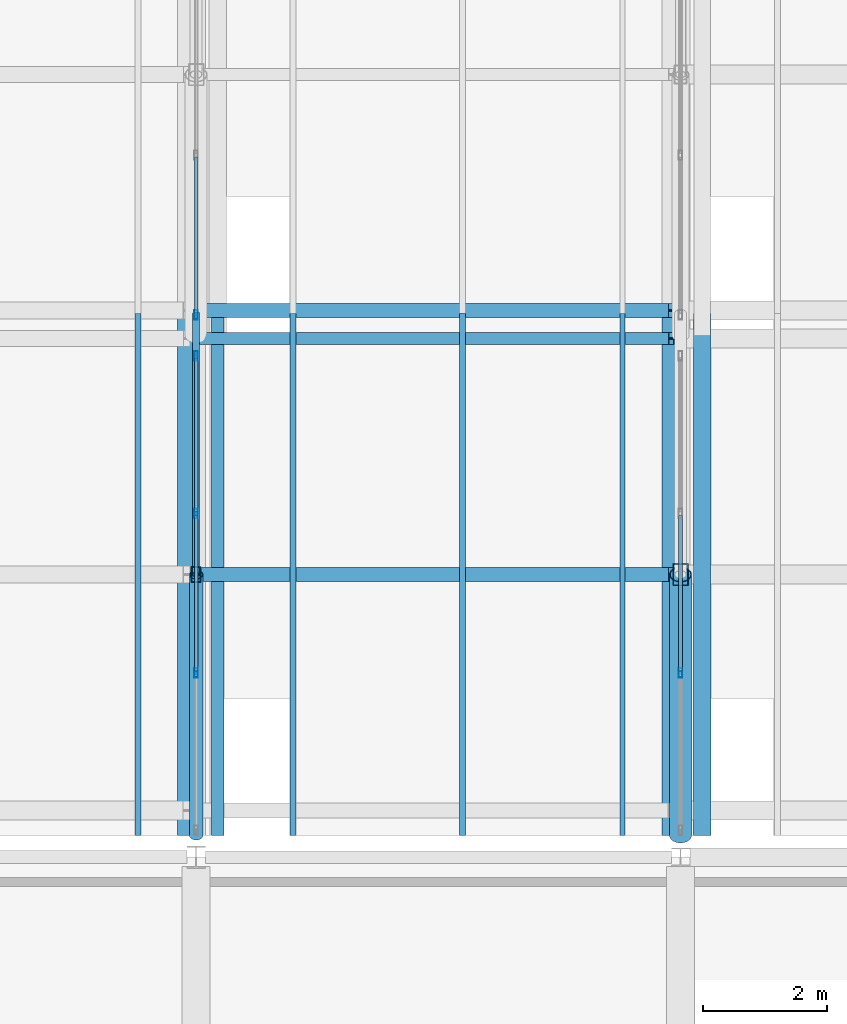
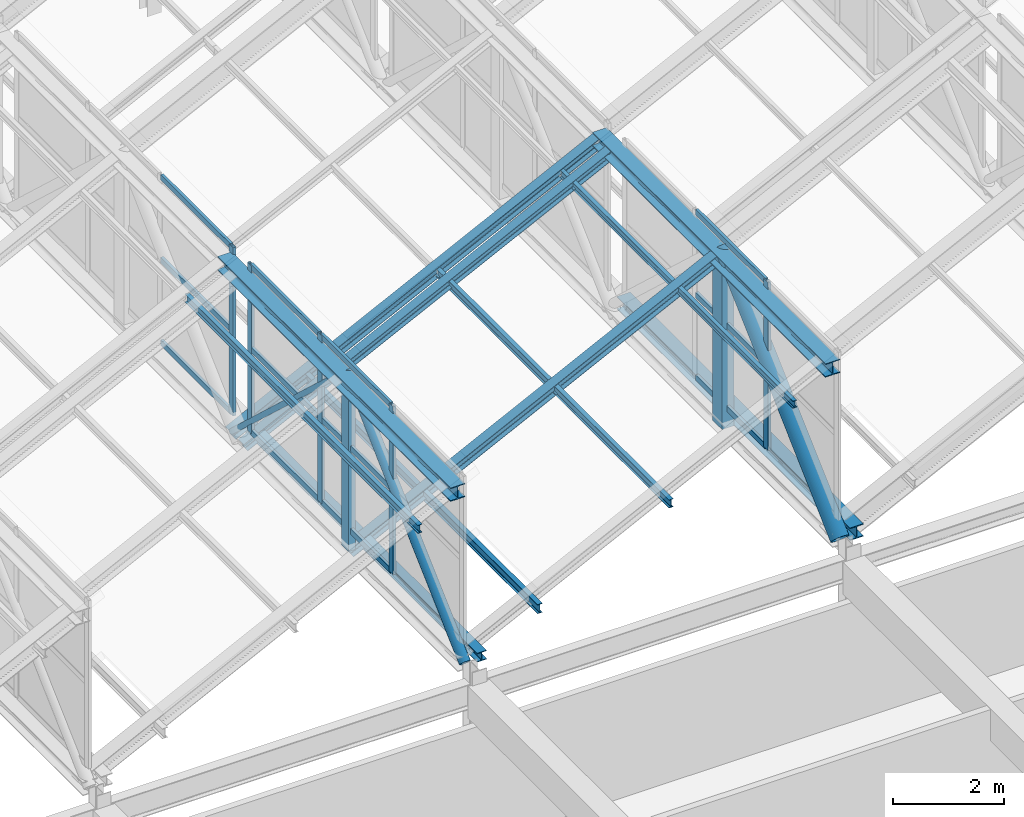
# One storey, part 26 of 101: 33 members, 3 elements without a shape of their own.
"""IFC4 building model written with IfcOpenShell, lengths in metres."""

from ifc_helpers import new_model, si_unit, direction, frame, origin, origin_2d, place, context, subcontext, project, spatial, hollow_rectangle, hollow_circle, i_section, extrude, material, layer, layer_set, material_profile, profile_set, type_object, element, aggregate, save


model = new_model("IFC4")

# Units and contexts
model_context = context("Model", 3, precision=1e-05, world=origin(), true_north=direction((0.0, 1.0)))
body_context = subcontext(model_context, "Body", "Model", "MODEL_VIEW")
ifc_project = project(units=[si_unit("LENGTHUNIT", "METRE"), si_unit("AREAUNIT", "SQUARE_METRE"), si_unit("VOLUMEUNIT", "CUBIC_METRE"), si_unit("PLANEANGLEUNIT", "RADIAN"), si_unit("MASSUNIT", "GRAM", prefix="KILO")], contexts=[model_context])

# Site, building, storey
site_placement = place(None, origin())
site = spatial("IfcSite", under=ifc_project, at=site_placement, CompositionType="ELEMENT")
building_placement = place(site_placement, origin())
building = spatial("IfcBuilding", under=site, at=building_placement, Name="Zizhar Promenade General Hospital", CompositionType="ELEMENT")
storey_placement = place(building_placement, frame((0.0, 0.0, 14.39990234375)))
storey = spatial("IfcBuildingStorey", under=building, at=storey_placement, Name="L03", CompositionType="ELEMENT", Elevation=14.39990234375)

# Curtain wall, members
ifc_material_1 = material(Name="Anodised aluminium 6063-T6 and low-E glass", Category="aluminium")
ifc_layer_1 = layer(ifc_material_1, 0.159912109375)
ifc_layer_set_1 = layer_set([ifc_layer_1], Name="Anodised aluminium 6063-T6 and low-E glass")
curtain_wall_type_1 = type_object("IfcCurtainWallType", Name="CW-SAW-NL1", PredefinedType="NOTDEFINED", material=ifc_layer_set_1)
curtain_wall_1_placement = place(storey_placement, origin())
curtain_wall_1 = element("IfcCurtainWall", 1, at=curtain_wall_1_placement, inside=storey, type_object=curtain_wall_type_1, Name="Sawtooth Clerestory Light B3-S1", PredefinedType="NOTDEFINED")
ifc_material_2 = material(Name="Anodised aluminium 6063-T6", Category="aluminium")
ifc_material_profile_1 = material_profile(ifc_material_2, hollow_rectangle(XDim=0.06005859375, YDim=0.14990234375, WallThickness=0.00390625, at=origin_2d()))
ifc_profile_set_1 = profile_set([ifc_material_profile_1], Name="Anodised aluminium 6063-T6")
member_type_1 = type_object("IfcMemberType", Name="CWM-ALU-150x60", PredefinedType="MULLION", material=ifc_profile_set_1)
member_1_placement = place(storey_placement, frame((93.60009765625, 28.166748046875, 3.85009765625), z_axis=(0.0, 0.0, 1.0), x_axis=(-1.0, 0.0, 0.0)))
member_1 = element("IfcMember", 2, at=member_1_placement, type_object=member_type_1, Name="CW-03 mullion 2", PredefinedType="MULLION", context=body_context, shape_type="SweptSolid", body=[
    extrude(hollow_rectangle(XDim=0.06005859375, YDim=0.14990234375, WallThickness=0.00390625, at=origin_2d()), origin(), (0.0, 0.0, 1.0), 3.699951171875),
])
member_2_placement = place(storey_placement, frame((93.60009765625, 30.7333984375, 3.85009765625), z_axis=(0.0, 0.0, 1.0), x_axis=(-1.0, 0.0, 0.0)))
member_2 = element("IfcMember", 3, at=member_2_placement, type_object=member_type_1, Name="CW-03 mullion 3", PredefinedType="MULLION", context=body_context, shape_type="SweptSolid", body=[
    extrude(hollow_rectangle(XDim=0.06005859375, YDim=0.14990234375, WallThickness=0.00390625, at=origin_2d()), origin(), (0.0, 0.0, 1.0), 3.699951171875),
])
member_3_placement = place(storey_placement, frame((93.60009765625, 33.27001953125, 3.85009765625), z_axis=(0.0, 0.0, 1.0), x_axis=(-1.0, 0.0, 0.0)))
member_3 = element("IfcMember", 4, at=member_3_placement, type_object=member_type_1, Name="CW-03 mullion 4", PredefinedType="MULLION", context=body_context, shape_type="SweptSolid", body=[
    extrude(hollow_rectangle(XDim=0.06005859375, YDim=0.14990234375, WallThickness=0.00390625, at=origin_2d()), origin(), (0.0, 0.0, 1.0), 3.699951171875),
])

# Curtain wall, member
ifc_material_3 = material(Name="Anodised aluminium 6063-T6 and low-E glass", Category="aluminium")
ifc_layer_2 = layer(ifc_material_3, 0.159912109375)
ifc_layer_set_2 = layer_set([ifc_layer_2], Name="Anodised aluminium 6063-T6 and low-E glass")
curtain_wall_type_2 = type_object("IfcCurtainWallType", Name="CW-SAW-NL2", PredefinedType="NOTDEFINED", material=ifc_layer_set_2)
curtain_wall_2_placement = place(storey_placement, origin())
curtain_wall_2 = element("IfcCurtainWall", 5, at=curtain_wall_2_placement, inside=storey, type_object=curtain_wall_type_2, Name="Sawtooth Clerestory Light B3-S2", PredefinedType="NOTDEFINED")
member_4_placement = place(storey_placement, frame((93.60009765625, 33.929931640625, 3.85009765625), z_axis=(0.0, 0.0, 1.0), x_axis=(-1.0, 0.0, 0.0)))
member_4 = element("IfcMember", 6, at=member_4_placement, type_object=member_type_1, Name="CW-04 mullion 1", PredefinedType="MULLION", context=body_context, shape_type="SweptSolid", body=[
    extrude(hollow_rectangle(XDim=0.06005859375, YDim=0.14990234375, WallThickness=0.00390625, at=origin_2d()), origin(), (0.0, 0.0, 1.0), 3.699951171875),
])

curtain_wall_3_placement = place(storey_placement, origin())
curtain_wall_3 = element("IfcCurtainWall", 7, at=curtain_wall_3_placement, inside=storey, type_object=curtain_wall_type_1, Name="Sawtooth Clerestory Light B4-S1", PredefinedType="NOTDEFINED")
member_5_placement = place(storey_placement, frame((101.39990234375, 28.166748046875, 3.85009765625), z_axis=(0.0, 0.0, 1.0), x_axis=(-1.0, 0.0, 0.0)))
member_5 = element("IfcMember", 8, at=member_5_placement, type_object=member_type_1, Name="CW-03 mullion 2", PredefinedType="MULLION", context=body_context, shape_type="SweptSolid", body=[
    extrude(hollow_rectangle(XDim=0.06005859375, YDim=0.14990234375, WallThickness=0.00390625, at=origin_2d()), origin(), (0.0, 0.0, 1.0), 3.699951171875),
])

# Member
ifc_material_4 = material(Name="Anodised aluminium 6063-T6", Category="aluminium")
ifc_material_profile_2 = material_profile(ifc_material_4, hollow_rectangle(XDim=0.06005859375, YDim=0.1201171875, WallThickness=0.00390625, at=origin_2d()))
ifc_profile_set_2 = profile_set([ifc_material_profile_2], Name="Anodised aluminium 6063-T6")
member_type_2 = type_object("IfcMemberType", Name="CWT-ALU-120x60", PredefinedType="USERDEFINED", material=ifc_profile_set_2)
member_6_placement = place(storey_placement, frame((93.60009765625, 28.19677734375, 3.880126953125), z_axis=(0.0, 1.0, 0.0), x_axis=(-1.0, 0.0, 0.0)))
member_6 = element("IfcMember", 9, at=member_6_placement, type_object=member_type_2, Name="CW-03 transom 2.1", ObjectType="TRANSOM", PredefinedType="USERDEFINED", context=body_context, shape_type="SweptSolid", body=[
    extrude(hollow_rectangle(XDim=0.06005859375, YDim=0.1201171875, WallThickness=0.00390625, at=origin_2d()), origin(), (0.0, 0.0, 1.0), 2.506591796875),
])

member_7_placement = place(storey_placement, frame((93.60009765625, 28.19677734375, 5.7001953125), z_axis=(0.0, 1.0, 0.0), x_axis=(-1.0, 0.0, 0.0)))
member_7 = element("IfcMember", 10, at=member_7_placement, type_object=member_type_2, Name="CW-03 transom 2.2", ObjectType="TRANSOM", PredefinedType="USERDEFINED", context=body_context, shape_type="SweptSolid", body=[
    extrude(hollow_rectangle(XDim=0.06005859375, YDim=0.1201171875, WallThickness=0.00390625, at=origin_2d()), origin(), (0.0, 0.0, 1.0), 2.506591796875),
])

member_8_placement = place(storey_placement, frame((93.60009765625, 28.19677734375, 7.52001953125), z_axis=(0.0, 1.0, 0.0), x_axis=(-1.0, 0.0, 0.0)))
member_8 = element("IfcMember", 11, at=member_8_placement, type_object=member_type_2, Name="CW-03 transom 2.3", ObjectType="TRANSOM", PredefinedType="USERDEFINED", context=body_context, shape_type="SweptSolid", body=[
    extrude(hollow_rectangle(XDim=0.06005859375, YDim=0.1201171875, WallThickness=0.00390625, at=origin_2d()), origin(), (0.0, 0.0, 1.0), 2.506591796875),
])

member_9_placement = place(storey_placement, frame((93.60009765625, 30.763427734375, 3.880126953125), z_axis=(0.0, 1.0, 0.0), x_axis=(-1.0, 0.0, 0.0)))
member_9 = element("IfcMember", 12, at=member_9_placement, type_object=member_type_2, Name="CW-03 transom 3.1", ObjectType="TRANSOM", PredefinedType="USERDEFINED", context=body_context, shape_type="SweptSolid", body=[
    extrude(hollow_rectangle(XDim=0.06005859375, YDim=0.1201171875, WallThickness=0.00390625, at=origin_2d()), origin(), (0.0, 0.0, 1.0), 2.4765625),
])

member_10_placement = place(storey_placement, frame((93.60009765625, 30.763427734375, 5.7001953125), z_axis=(0.0, 1.0, 0.0), x_axis=(-1.0, 0.0, 0.0)))
member_10 = element("IfcMember", 13, at=member_10_placement, type_object=member_type_2, Name="CW-03 transom 3.2", ObjectType="TRANSOM", PredefinedType="USERDEFINED", context=body_context, shape_type="SweptSolid", body=[
    extrude(hollow_rectangle(XDim=0.06005859375, YDim=0.1201171875, WallThickness=0.00390625, at=origin_2d()), origin(), (0.0, 0.0, 1.0), 2.4765625),
])

member_11_placement = place(storey_placement, frame((93.60009765625, 30.763427734375, 7.52001953125), z_axis=(0.0, 1.0, 0.0), x_axis=(-1.0, 0.0, 0.0)))
member_11 = element("IfcMember", 14, at=member_11_placement, type_object=member_type_2, Name="CW-03 transom 3.3", ObjectType="TRANSOM", PredefinedType="USERDEFINED", context=body_context, shape_type="SweptSolid", body=[
    extrude(hollow_rectangle(XDim=0.06005859375, YDim=0.1201171875, WallThickness=0.00390625, at=origin_2d()), origin(), (0.0, 0.0, 1.0), 2.4765625),
])

aggregate(curtain_wall_1, [member_1, member_2, member_3, member_6, member_7, member_8, member_9, member_10, member_11])

member_12_placement = place(storey_placement, frame((93.60009765625, 33.9599609375, 3.880126953125), z_axis=(0.0, 1.0, 0.0), x_axis=(-1.0, 0.0, 0.0)))
member_12 = element("IfcMember", 15, at=member_12_placement, type_object=member_type_2, Name="CW-04 transom 1.1", ObjectType="TRANSOM", PredefinedType="USERDEFINED", context=body_context, shape_type="SweptSolid", body=[
    extrude(hollow_rectangle(XDim=0.06005859375, YDim=0.1201171875, WallThickness=0.00390625, at=origin_2d()), origin(), (0.0, 0.0, 1.0), 2.510009765625),
])

member_13_placement = place(storey_placement, frame((93.60009765625, 33.9599609375, 5.7001953125), z_axis=(0.0, 1.0, 0.0), x_axis=(-1.0, 0.0, 0.0)))
member_13 = element("IfcMember", 16, at=member_13_placement, type_object=member_type_2, Name="CW-04 transom 1.2", ObjectType="TRANSOM", PredefinedType="USERDEFINED", context=body_context, shape_type="SweptSolid", body=[
    extrude(hollow_rectangle(XDim=0.06005859375, YDim=0.1201171875, WallThickness=0.00390625, at=origin_2d()), origin(), (0.0, 0.0, 1.0), 2.510009765625),
])

member_14_placement = place(storey_placement, frame((93.60009765625, 33.9599609375, 7.52001953125), z_axis=(0.0, 1.0, 0.0), x_axis=(-1.0, 0.0, 0.0)))
member_14 = element("IfcMember", 17, at=member_14_placement, type_object=member_type_2, Name="CW-04 transom 1.3", ObjectType="TRANSOM", PredefinedType="USERDEFINED", context=body_context, shape_type="SweptSolid", body=[
    extrude(hollow_rectangle(XDim=0.06005859375, YDim=0.1201171875, WallThickness=0.00390625, at=origin_2d()), origin(), (0.0, 0.0, 1.0), 2.510009765625),
])

aggregate(curtain_wall_2, [member_4, member_12, member_13, member_14])

member_15_placement = place(storey_placement, frame((101.39990234375, 28.19677734375, 3.880126953125), z_axis=(0.0, 1.0, 0.0), x_axis=(-1.0, 0.0, 0.0)))
member_15 = element("IfcMember", 18, at=member_15_placement, type_object=member_type_2, Name="CW-03 transom 2.1", ObjectType="TRANSOM", PredefinedType="USERDEFINED", context=body_context, shape_type="SweptSolid", body=[
    extrude(hollow_rectangle(XDim=0.06005859375, YDim=0.1201171875, WallThickness=0.00390625, at=origin_2d()), origin(), (0.0, 0.0, 1.0), 2.506591796875),
])

member_16_placement = place(storey_placement, frame((101.39990234375, 28.19677734375, 5.7001953125), z_axis=(0.0, 1.0, 0.0), x_axis=(-1.0, 0.0, 0.0)))
member_16 = element("IfcMember", 19, at=member_16_placement, type_object=member_type_2, Name="CW-03 transom 2.2", ObjectType="TRANSOM", PredefinedType="USERDEFINED", context=body_context, shape_type="SweptSolid", body=[
    extrude(hollow_rectangle(XDim=0.06005859375, YDim=0.1201171875, WallThickness=0.00390625, at=origin_2d()), origin(), (0.0, 0.0, 1.0), 2.506591796875),
])

member_17_placement = place(storey_placement, frame((101.39990234375, 28.19677734375, 7.52001953125), z_axis=(0.0, 1.0, 0.0), x_axis=(-1.0, 0.0, 0.0)))
member_17 = element("IfcMember", 20, at=member_17_placement, type_object=member_type_2, Name="CW-03 transom 2.3", ObjectType="TRANSOM", PredefinedType="USERDEFINED", context=body_context, shape_type="SweptSolid", body=[
    extrude(hollow_rectangle(XDim=0.06005859375, YDim=0.1201171875, WallThickness=0.00390625, at=origin_2d()), origin(), (0.0, 0.0, 1.0), 2.506591796875),
])

aggregate(curtain_wall_3, [member_5, member_15, member_16, member_17])

# Members
ifc_material_5 = material(Name="Steel S355", Category="steel")
ifc_material_profile_3 = material_profile(ifc_material_5, hollow_circle(Radius=0.05712890625, WallThickness=0.00634765625, at=origin_2d()))
ifc_profile_set_3 = profile_set([ifc_material_profile_3], Name="Steel S355")
member_type_3 = type_object("IfcMemberType", Name="MEM-BRACE-CHS114", PredefinedType="BRACE", material=ifc_profile_set_3)
member_18_placement = place(storey_placement, frame((93.60009765625, 33.949951171875, 3.4501953125), z_axis=(0.0, -0.732798043082, 0.680446197767), x_axis=(1.0, 0.0, 0.0)))
element("IfcMember", 21, at=member_18_placement, inside=storey, type_object=member_type_3, Name="Sawtooth Truss Frame 4 Diagonal B1", PredefinedType="BRACE", context=body_context, shape_type="SweptSolid", body=[
    extrude(hollow_circle(Radius=0.05712890625, WallThickness=0.00634765625, at=origin_2d()), origin(), (0.0, 0.0, 1.0), 5.7314453125),
])
ifc_material_6 = material(Name="Steel S355", Category="steel")
ifc_material_profile_4 = material_profile(ifc_material_6, i_section(OverallWidth=0.199951171875, OverallDepth=0.199951171875, WebThickness=0.009033203125, FlangeThickness=0.014892578125, FilletRadius=0.01806640625, at=origin_2d()))
ifc_profile_set_4 = profile_set([ifc_material_profile_4], Name="Steel S355")
member_type_4 = type_object("IfcMemberType", Name="MEM-CHORD-HEB200", PredefinedType="CHORD", material=ifc_profile_set_4)
member_19_placement = place(storey_placement, frame((93.949951171875, 25.550048828125, 3.47021484375), z_axis=(0.0, 1.0, 0.0), x_axis=(-1.0, 0.0, 0.0)))
element("IfcMember", 22, at=member_19_placement, inside=storey, type_object=member_type_4, Name="Sawtooth Bay 4 Valley Tie 1", PredefinedType="CHORD", context=body_context, shape_type="SweptSolid", body=[
    extrude(i_section(OverallWidth=0.199951171875, OverallDepth=0.199951171875, WebThickness=0.009033203125, FlangeThickness=0.014892578125, FilletRadius=0.01806640625, at=origin_2d()), origin(), (0.0, 0.0, 1.0), 8.39990234375),
])
ifc_material_7 = material(Name="Steel S355", Category="steel")
ifc_material_profile_5 = material_profile(ifc_material_7, i_section(OverallWidth=0.280029296875, OverallDepth=0.280029296875, WebThickness=0.010498046875, FlangeThickness=0.01806640625, FilletRadius=0.02392578125, at=origin_2d()))
ifc_profile_set_5 = profile_set([ifc_material_profile_5], Name="Steel S355")
member_type_5 = type_object("IfcMemberType", Name="MEM-CHORD-HEB280", PredefinedType="CHORD", material=ifc_profile_set_5)
member_20_placement = place(storey_placement, frame((101.75, 25.550048828125, 3.47021484375), z_axis=(0.0, 1.0, 0.0), x_axis=(-1.0, 0.0, 0.0)))
element("IfcMember", 23, at=member_20_placement, inside=storey, type_object=member_type_5, Name="Sawtooth Bay 5 Valley Tie 1", PredefinedType="CHORD", context=body_context, shape_type="SweptSolid", body=[
    extrude(i_section(OverallWidth=0.280029296875, OverallDepth=0.280029296875, WebThickness=0.010498046875, FlangeThickness=0.01806640625, FilletRadius=0.02392578125, at=origin_2d()), origin(), (0.0, 0.0, 1.0), 8.39990234375),
])
ifc_material_8 = material(Name="Steel S355", Category="steel")
ifc_material_profile_6 = material_profile(ifc_material_8, i_section(OverallWidth=0.300048828125, OverallDepth=0.300048828125, WebThickness=0.010986328125, FlangeThickness=0.01904296875, FilletRadius=0.027099609375, at=origin_2d()))
ifc_profile_set_6 = profile_set([ifc_material_profile_6], Name="Steel S355")
member_type_6 = type_object("IfcMemberType", Name="MEM-CHORD-HEB300", PredefinedType="CHORD", material=ifc_profile_set_6)
for number, where, z_axis, x_axis, name in (
    (24, (93.449951171875, 25.550048828125, 7.25), (0.0, 1.0, 0.0), (-1.0, 0.0, 0.0), "Sawtooth Bay 3 Ridge Chord 1"),
    (25, (101.25, 25.550048828125, 7.25), (0.0, 1.0, 0.0), (-1.0, 0.0, 0.0), "Sawtooth Bay 4 Ridge Chord 1"),
):
    element("IfcMember", number, at=place(storey_placement, frame(where, z_axis=z_axis, x_axis=x_axis)), inside=storey, type_object=member_type_6, Name=name, PredefinedType="CHORD", context=body_context, shape_type="SweptSolid", body=[
        extrude(i_section(OverallWidth=0.300048828125, OverallDepth=0.300048828125, WebThickness=0.010986328125, FlangeThickness=0.01904296875, FilletRadius=0.027099609375, at=origin_2d()), origin(), (0.0, 0.0, 1.0), 8.39990234375),
    ])
ifc_material_9 = material(Name="Steel S355", Category="steel")
ifc_material_profile_7 = material_profile(ifc_material_9, hollow_circle(Radius=0.109619140625, WallThickness=0.008056640625, at=origin_2d()))
ifc_profile_set_7 = profile_set([ifc_material_profile_7], Name="Steel S355")
member_type_7 = type_object("IfcMemberType", Name="MEM-DIAG-CHS219", PredefinedType="BRACE", material=ifc_profile_set_7)
member_21_placement = place(storey_placement, frame((93.60009765625, 25.550048828125, 3.4501953125), z_axis=(0.0, 0.732798043082, 0.680446197767), x_axis=(-1.0, 0.0, 0.0)))
element("IfcMember", 26, at=member_21_placement, inside=storey, type_object=member_type_7, Name="Sawtooth Truss Frame 4 Diagonal A1", PredefinedType="BRACE", context=body_context, shape_type="SweptSolid", body=[
    extrude(hollow_circle(Radius=0.109619140625, WallThickness=0.008056640625, at=origin_2d()), origin(), (0.0, 0.0, 1.0), 5.7314453125),
])
ifc_material_10 = material(Name="Steel S355", Category="steel")
ifc_material_profile_8 = material_profile(ifc_material_10, hollow_circle(Radius=0.177734375, WallThickness=0.012451171875, at=origin_2d()))
ifc_profile_set_8 = profile_set([ifc_material_profile_8], Name="Steel S355")
member_type_8 = type_object("IfcMemberType", Name="MEM-DIAG-CHS356", PredefinedType="BRACE", material=ifc_profile_set_8)
member_22_placement = place(storey_placement, frame((101.39990234375, 25.550048828125, 3.4501953125), z_axis=(0.0, 0.732798043082, 0.680446197767), x_axis=(-1.0, 0.0, 0.0)))
element("IfcMember", 27, at=member_22_placement, inside=storey, type_object=member_type_8, Name="Sawtooth Truss Frame 5 Diagonal A1", PredefinedType="BRACE", context=body_context, shape_type="SweptSolid", body=[
    extrude(hollow_circle(Radius=0.177734375, WallThickness=0.012451171875, at=origin_2d()), origin(), (0.0, 0.0, 1.0), 5.7314453125),
])
ifc_material_11 = material(Name="Steel S355", Category="steel")
ifc_material_profile_9 = material_profile(ifc_material_11, i_section(OverallWidth=0.08203125, OverallDepth=0.159912109375, WebThickness=0.0048828125, FlangeThickness=0.00732421875, FilletRadius=0.009033203125, at=origin_2d()))
ifc_profile_set_9 = profile_set([ifc_material_profile_9], Name="Steel S355")
member_type_9 = type_object("IfcMemberType", Name="MEM-PURL-IPE160", PredefinedType="PURLIN", material=ifc_profile_set_9)
member_23_placement = place(storey_placement, frame((100.464111328125, 25.550048828125, 6.735107421875), z_axis=(0.0, 1.0, 0.0), x_axis=(-1.0, 0.0, 0.0)))
element("IfcMember", 28, at=member_23_placement, inside=storey, type_object=member_type_9, Name="Sawtooth Bay 4 Purlin 1-3", PredefinedType="PURLIN", context=body_context, shape_type="SweptSolid", body=[
    extrude(i_section(OverallWidth=0.08203125, OverallDepth=0.159912109375, WebThickness=0.0048828125, FlangeThickness=0.00732421875, FilletRadius=0.009033203125, at=origin_2d()), origin(), (0.0, 0.0, 1.0), 8.39990234375),
])
ifc_material_12 = material(Name="Steel S355", Category="steel")
ifc_material_profile_10 = material_profile(ifc_material_12, i_section(OverallWidth=0.091064453125, OverallDepth=0.179931640625, WebThickness=0.00537109375, FlangeThickness=0.008056640625, FilletRadius=0.009033203125, at=origin_2d()))
ifc_profile_set_10 = profile_set([ifc_material_profile_10], Name="Steel S355")
member_type_10 = type_object("IfcMemberType", Name="MEM-PURL-IPE180", PredefinedType="PURLIN", material=ifc_profile_set_10)
for number, where, z_axis, x_axis, name in (
    (29, (92.6640625, 25.550048828125, 6.72509765625), (0.0, 1.0, 0.0), (-1.0, 0.0, 0.0), "Sawtooth Bay 3 Purlin 1-3"),
    (30, (97.889892578125, 25.550048828125, 5.45458984375), (0.0, 1.0, 0.0), (-1.0, 0.0, 0.0), "Sawtooth Bay 4 Purlin 1-2"),
):
    element("IfcMember", number, at=place(storey_placement, frame(where, z_axis=z_axis, x_axis=x_axis)), inside=storey, type_object=member_type_10, Name=name, PredefinedType="PURLIN", context=body_context, shape_type="SweptSolid", body=[
        extrude(i_section(OverallWidth=0.091064453125, OverallDepth=0.179931640625, WebThickness=0.00537109375, FlangeThickness=0.008056640625, FilletRadius=0.009033203125, at=origin_2d()), origin(), (0.0, 0.0, 1.0), 8.39990234375),
    ])
ifc_material_13 = material(Name="Steel S355", Category="steel")
ifc_material_profile_11 = material_profile(ifc_material_13, i_section(OverallWidth=0.10009765625, OverallDepth=0.199951171875, WebThickness=0.005615234375, FlangeThickness=0.008544921875, FilletRadius=0.011962890625, at=origin_2d()))
ifc_profile_set_11 = profile_set([ifc_material_profile_11], Name="Steel S355")
member_type_11 = type_object("IfcMemberType", Name="MEM-PURL-IPE200", PredefinedType="PURLIN", material=ifc_profile_set_11)
member_24_placement = place(storey_placement, frame((95.159912109375, 25.550048828125, 4.09716796875), z_axis=(0.0, 1.0, 0.0), x_axis=(-1.0, 0.0, 0.0)))
element("IfcMember", 31, at=member_24_placement, inside=storey, type_object=member_type_11, Name="Sawtooth Bay 4 Purlin 1-1", PredefinedType="PURLIN", context=body_context, shape_type="SweptSolid", body=[
    extrude(i_section(OverallWidth=0.10009765625, OverallDepth=0.199951171875, WebThickness=0.005615234375, FlangeThickness=0.008544921875, FilletRadius=0.011962890625, at=origin_2d()), origin(), (0.0, 0.0, 1.0), 8.39990234375),
])
ifc_material_14 = material(Name="Steel S355", Category="steel")
ifc_material_profile_12 = material_profile(ifc_material_14, i_section(OverallWidth=0.199951171875, OverallDepth=0.18994140625, WebThickness=0.006591796875, FlangeThickness=0.010009765625, FilletRadius=0.01806640625, at=origin_2d()))
ifc_profile_set_12 = profile_set([ifc_material_profile_12], Name="Steel S355")
member_type_12 = type_object("IfcMemberType", Name="MEM-RAFT-HEA200", PredefinedType="RAFTER", material=ifc_profile_set_12)
member_25_placement = place(storey_placement, frame((93.60009765625, 33.550048828125, 3.38720703125), z_axis=(0.896704881356, 0.0, 0.442628914276), x_axis=(0.0, 1.0, 0.0)))
element("IfcMember", 32, at=member_25_placement, inside=storey, type_object=member_type_12, Name="Sawtooth Bay 4 Rafter 1-3", PredefinedType="RAFTER", context=body_context, shape_type="SweptSolid", body=[
    extrude(i_section(OverallWidth=0.199951171875, OverallDepth=0.18994140625, WebThickness=0.006591796875, FlangeThickness=0.010009765625, FilletRadius=0.01806640625, at=origin_2d()), origin(), (0.0, 0.0, 1.0), 8.531005859375),
])
ifc_material_15 = material(Name="Steel S355", Category="steel")
ifc_material_profile_13 = material_profile(ifc_material_15, i_section(OverallWidth=0.219970703125, OverallDepth=0.2099609375, WebThickness=0.007080078125, FlangeThickness=0.010986328125, FilletRadius=0.01806640625, at=origin_2d()))
ifc_profile_set_13 = profile_set([ifc_material_profile_13], Name="Steel S355")
member_type_13 = type_object("IfcMemberType", Name="MEM-RAFT-HEA220", PredefinedType="RAFTER", material=ifc_profile_set_13)
for number, where, z_axis, x_axis, name in (
    (33, (93.60009765625, 29.75, 3.3759765625), (0.896704881356, 0.0, 0.442628914276), (0.0, 1.0, 0.0), "Sawtooth Bay 4 Rafter 1-2"),
    (34, (93.60009765625, 34.0, 3.3759765625), (0.896704881356, 0.0, 0.442628914276), (0.0, 1.0, 0.0), "Sawtooth Bay 4 Rafter 2-1"),
):
    element("IfcMember", number, at=place(storey_placement, frame(where, z_axis=z_axis, x_axis=x_axis)), inside=storey, type_object=member_type_13, Name=name, PredefinedType="RAFTER", context=body_context, shape_type="SweptSolid", body=[
        extrude(i_section(OverallWidth=0.219970703125, OverallDepth=0.2099609375, WebThickness=0.007080078125, FlangeThickness=0.010986328125, FilletRadius=0.01806640625, at=origin_2d()), origin(), (0.0, 0.0, 1.0), 8.531005859375),
    ])
ifc_material_16 = material(Name="Steel S355", Category="steel")
ifc_material_profile_14 = material_profile(ifc_material_16, hollow_rectangle(XDim=0.14990234375, YDim=0.25, WallThickness=0.008056640625, at=origin_2d()))
ifc_profile_set_14 = profile_set([ifc_material_profile_14], Name="Steel S355")
member_type_14 = type_object("IfcMemberType", Name="MEM-STRUT-RHS250", PredefinedType="STRUT", material=ifc_profile_set_14)
member_26_placement = place(storey_placement, frame((93.60009765625, 29.75, 3.4501953125), z_axis=(0.0, 0.0, 1.0), x_axis=(1.0, 0.0, 0.0)))
element("IfcMember", 35, at=member_26_placement, inside=storey, type_object=member_type_14, Name="Sawtooth Truss Frame 4 Vertical Post 1", PredefinedType="STRUT", context=body_context, shape_type="SweptSolid", body=[
    extrude(hollow_rectangle(XDim=0.14990234375, YDim=0.25, WallThickness=0.008056640625, at=origin_2d()), origin(), (0.0, 0.0, 1.0), 3.89990234375),
])
ifc_material_17 = material(Name="Steel S355", Category="steel")
ifc_material_profile_15 = material_profile(ifc_material_17, hollow_rectangle(XDim=0.25, YDim=0.35009765625, WallThickness=0.010009765625, at=origin_2d()))
ifc_profile_set_15 = profile_set([ifc_material_profile_15], Name="Steel S355")
member_type_15 = type_object("IfcMemberType", Name="MEM-STRUT-RHS350", PredefinedType="STRUT", material=ifc_profile_set_15)
member_27_placement = place(storey_placement, frame((101.39990234375, 29.75, 3.4501953125), z_axis=(0.0, 0.0, 1.0), x_axis=(1.0, 0.0, 0.0)))
element("IfcMember", 36, at=member_27_placement, inside=storey, type_object=member_type_15, Name="Sawtooth Truss Frame 5 Vertical Post 1", PredefinedType="STRUT", context=body_context, shape_type="SweptSolid", body=[
    extrude(hollow_rectangle(XDim=0.25, YDim=0.35009765625, WallThickness=0.010009765625, at=origin_2d()), origin(), (0.0, 0.0, 1.0), 3.89990234375),
])

save(model, "model.ifc")
